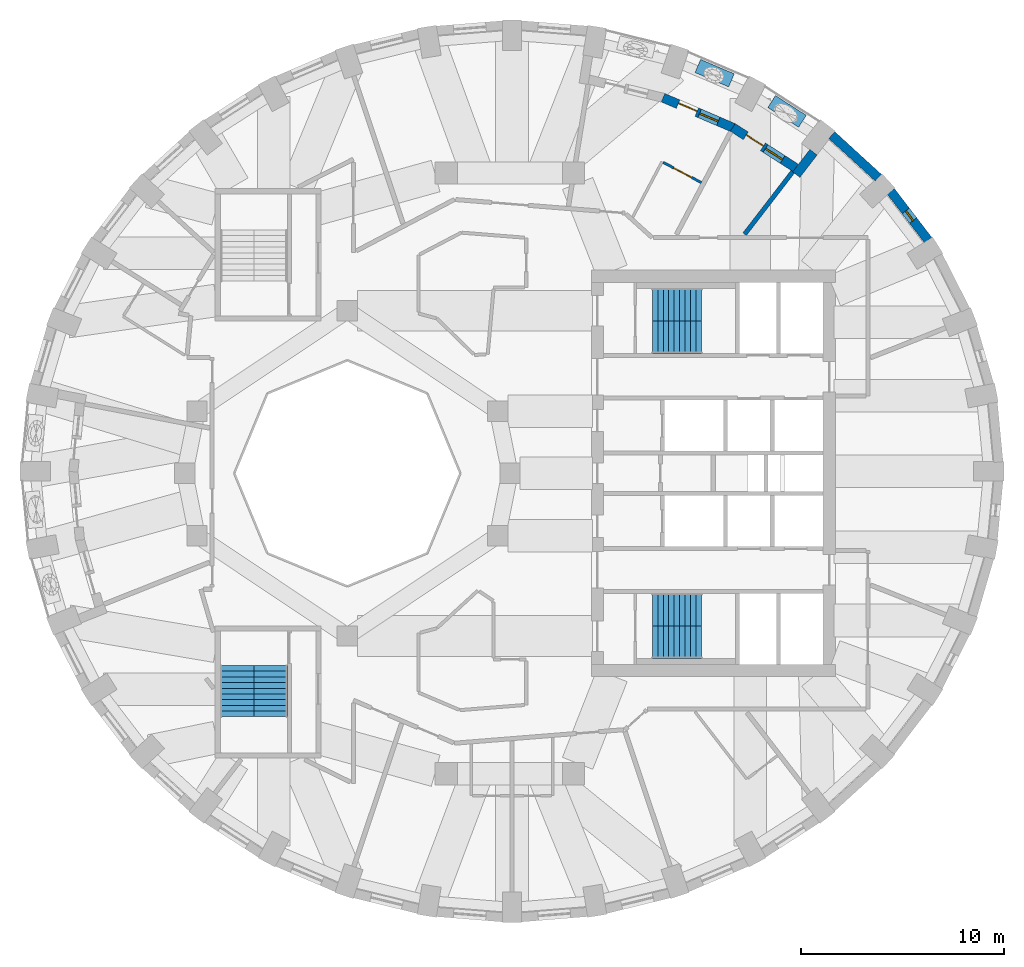
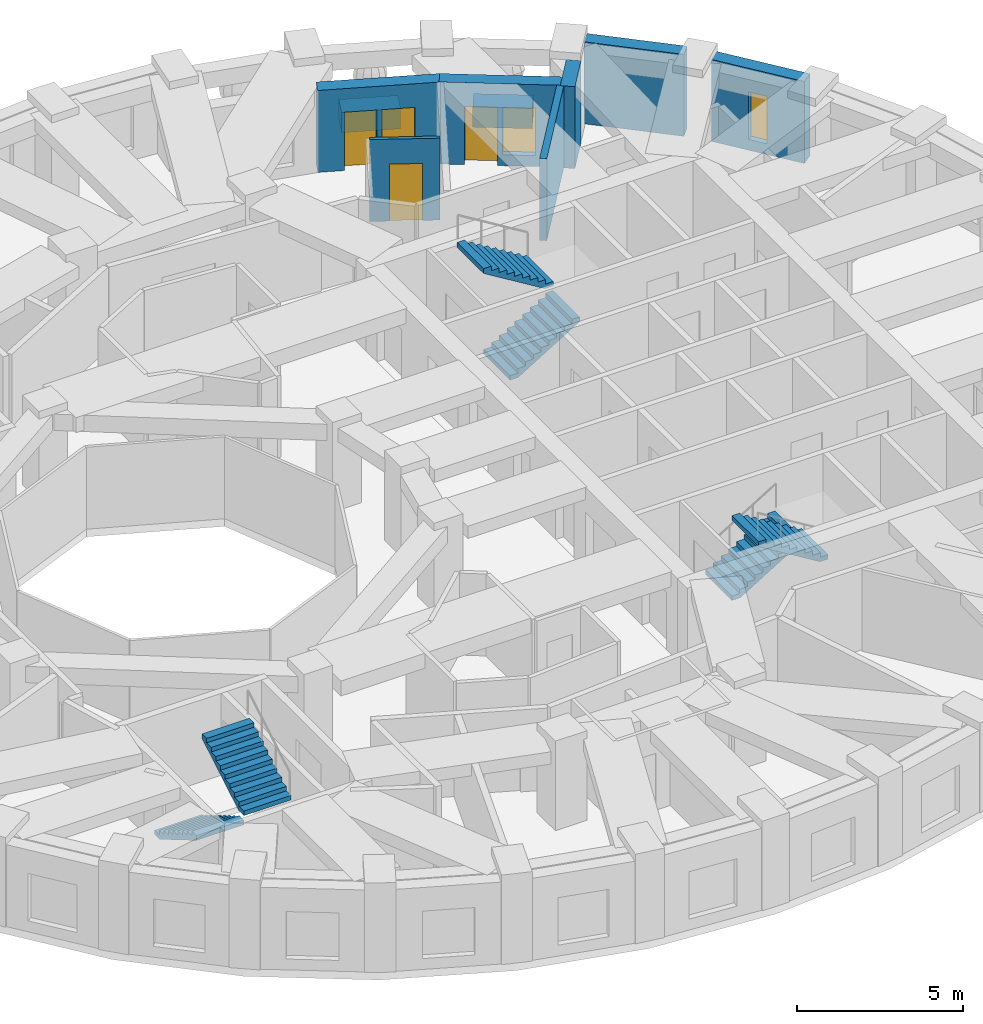
# One storey, part 8 of 12: 9 walls, 6 stair flights, 3 doors, 3 windows, 6 openings, 3 elements without a shape of their own.
"""IFC4 building model written with IfcOpenShell, lengths in metres."""

import ifcopenshell
import ifcopenshell.guid

model = None  # the IFC model being written
_history = None  # IfcOwnerHistory: only IFC2X3 demands one
_inside = {}  # id of a spatial element -> (the spatial element, [elements in it])
_under = {}  # id of a project, library or spatial element -> (it, [spatial elements below it])
_declared = {}  # id of a project -> (the project, [libraries it declares])
_typed = {}  # id of a type object -> (the type object, [elements of that type])
_made_of = {}  # id of a material, layer set ... -> (it, [elements and type objects made of it])


def new_model(schema):
    """Start an empty IFC model of exactly this schema.

    Asked for "IFC4X3", IfcOpenShell would pick the latest addendum, in which some entities
    have other attributes; the version numbers below select the first issue.
    IFC2X3 requires an IfcOwnerHistory on every rooted entity: one is made here for all.
    """
    global model, _history
    if schema == "IFC4X3":
        model = ifcopenshell.file(schema_version=(4, 3, 0, 0))
    else:
        model = ifcopenshell.file(schema=schema)
    _inside.clear()
    _under.clear()
    _declared.clear()
    _typed.clear()
    _made_of.clear()
    _history = None
    if model.schema == "IFC2X3":
        org = make("IfcOrganization", Name="unknown")
        user = make(
            "IfcPersonAndOrganization",
            ThePerson=make("IfcPerson", FamilyName="unknown"),
            TheOrganization=org,
        )
        app = make(
            "IfcApplication",
            ApplicationDeveloper=org,
            Version="unknown",
            ApplicationFullName="unknown",
            ApplicationIdentifier="unknown",
        )
        _history = make(
            "IfcOwnerHistory",
            OwningUser=user,
            OwningApplication=app,
            ChangeAction="ADDED",
            CreationDate=0,
        )
    return model


def make(cls, **values):
    """One entity of the class cls with the attributes given. An attribute that is None is left unset."""
    return model.create_entity(
        cls, **{name: value for name, value in values.items() if value is not None}
    )


def rooted(cls, **values):
    """An entity with a GlobalId (a new one), such as an element, a storey or a relation."""
    return make(cls, GlobalId=ifcopenshell.guid.new(), OwnerHistory=_history, **values)


def si_unit(unit_type, name, prefix=None):
    """IfcSIUnit, for example si_unit("LENGTHUNIT", "METRE", prefix="MILLI")."""
    return make("IfcSIUnit", UnitType=unit_type, Prefix=prefix, Name=name)


def assignment(units):
    """IfcUnitAssignment: the units of a project."""
    return None if units is None else make("IfcUnitAssignment", Units=units)


def point(xyz):
    """IfcCartesianPoint."""
    return None if xyz is None else make("IfcCartesianPoint", Coordinates=xyz)


def direction(xyz):
    """IfcDirection."""
    return None if xyz is None else make("IfcDirection", DirectionRatios=xyz)


def frame(location, z_axis=None, x_axis=None):
    """IfcAxis2Placement3D, a coordinate frame: its origin and axes. An axis left out is left unset."""
    return make(
        "IfcAxis2Placement3D",
        Location=point(location),
        Axis=direction(z_axis),
        RefDirection=direction(x_axis),
    )


def frame_2d(location, x_axis=None):
    """IfcAxis2Placement2D, a coordinate frame in the plane: its origin and x axis."""
    return make(
        "IfcAxis2Placement2D", Location=point(location), RefDirection=direction(x_axis)
    )


def origin():
    """The frame at (0, 0, 0) with its axes left unset."""
    return frame((0.0, 0.0, 0.0))


def place(relative_to, where):
    """IfcLocalPlacement: puts the frame where relative to a parent placement (None: the world)."""
    return make(
        "IfcLocalPlacement", PlacementRelTo=relative_to, RelativePlacement=where
    )


def context(
    kind, dimensions, precision=None, world=None, true_north=None, identifier=None
):
    """IfcGeometricRepresentationContext, for example the 3D "Model" context."""
    return make(
        "IfcGeometricRepresentationContext",
        ContextIdentifier=identifier,
        ContextType=kind,
        CoordinateSpaceDimension=dimensions,
        Precision=precision,
        WorldCoordinateSystem=world,
        TrueNorth=true_north,
    )


def subcontext(parent, identifier, kind, view, scale=None):
    """IfcGeometricRepresentationSubContext, for example "Body" below "Model"."""
    return make(
        "IfcGeometricRepresentationSubContext",
        ContextIdentifier=identifier,
        ContextType=kind,
        ParentContext=parent,
        TargetScale=scale,
        TargetView=view,
    )


def project(units=None, contexts=None):
    """IfcProject with its units and contexts."""
    return rooted(
        "IfcProject",
        Name="project",
        RepresentationContexts=contexts,
        UnitsInContext=assignment(units),
    )


def spatial(cls, under=None, at=None, **own):
    """A site, building, storey or space (cls), placed at a placement, below another one or the project."""
    s = rooted(cls, ObjectPlacement=at, **own)
    if under is not None:
        _under.setdefault(under.id(), (under, []))[1].append(s)
    return s


def polyline(points):
    """IfcPolyline through the points."""
    return make("IfcPolyline", Points=[point(p) for p in points])


def profile(cls, at=None, kind="AREA", **sizes):
    """A parametric profile (cls). Its sizes go by their IFC names, for example OverallWidth=200.0."""
    return make(cls, ProfileType=kind, Position=at, **sizes)


def rectangle(**sizes):
    """IfcRectangleProfileDef."""
    return profile("IfcRectangleProfileDef", **sizes)


def outline(outer, holes=None, kind="AREA"):
    """IfcArbitraryClosedProfileDef: a profile drawn as a closed curve; with holes, ...WithVoids."""
    if holes is None:
        return make("IfcArbitraryClosedProfileDef", ProfileType=kind, OuterCurve=outer)
    return make(
        "IfcArbitraryProfileDefWithVoids",
        ProfileType=kind,
        OuterCurve=outer,
        InnerCurves=holes,
    )


def extrude(swept, where, along, depth):
    """IfcExtrudedAreaSolid: the profile swept, set in the frame where, extruded along a direction by depth."""
    return make(
        "IfcExtrudedAreaSolid",
        SweptArea=swept,
        Position=where,
        ExtrudedDirection=direction(along),
        Depth=depth,
    )


def shape(context_of_items, identifier, shape_type, items):
    """IfcShapeRepresentation: the items that make up one representation, for example the "Body"."""
    return make(
        "IfcShapeRepresentation",
        ContextOfItems=context_of_items,
        RepresentationIdentifier=identifier,
        RepresentationType=shape_type,
        Items=items,
    )


def material(Name=None, Category=None):
    """IfcMaterial."""
    return make("IfcMaterial", Name=Name, Category=Category)


def layer(
    of_material, thickness, ventilated=None, Name=None, Category=None, Priority=None
):
    """IfcMaterialLayer: one layer of a wall or slab, of a material (None: an air gap)."""
    return make(
        "IfcMaterialLayer",
        Material=of_material,
        LayerThickness=thickness,
        IsVentilated=ventilated,
        Name=Name,
        Category=Category,
        Priority=Priority,
    )


def layer_set(layers, Name=None):
    """IfcMaterialLayerSet."""
    return make("IfcMaterialLayerSet", MaterialLayers=layers, LayerSetName=Name)


def constituent(of_material, Name=None, Category=None, fraction=None):
    """IfcMaterialConstituent: one of the materials an element consists of."""
    return make(
        "IfcMaterialConstituent",
        Name=Name,
        Material=of_material,
        Fraction=fraction,
        Category=Category,
    )


def constituent_set(constituents=None, Name=None):
    """IfcMaterialConstituentSet."""
    return make(
        "IfcMaterialConstituentSet", Name=Name, MaterialConstituents=constituents
    )


def made_of(thing, what):
    """Note that an element or type object is made of a material, layer set ...; save() writes the relation."""
    if what is not None:
        _made_of.setdefault(what.id(), (what, []))[1].append(thing)
    return thing


def type_object(cls, material=None, **own):
    """A type object (cls), such as IfcWallType, which elements share."""
    return made_of(rooted(cls, **own), material)


def element(
    cls,
    number,
    at=None,
    inside=None,
    cuts=None,
    type_object=None,
    material=None,
    context=None,
    identifier="Body",
    shape_type=None,
    held_by="IfcProductDefinitionShape",
    body=None,
    shapes=None,
    **own,
):
    """One element of the class cls, such as IfcWall. Its Tag is "e" and its number.

    at: its placement. inside: the storey or other place that contains it. cuts: it is an
    opening in that element (IfcRelVoidsElement). A single representation is given by context,
    identifier, shape_type and body (its items); several are given by shapes. held_by: the class
    of the entity that holds the representations. save() writes the other relations.
    """
    e = rooted(cls, Tag="e%d" % number, ObjectPlacement=at, **own)
    if body is not None:
        shapes = [shape(context, identifier, shape_type, body)]
    if shapes is not None:
        e.Representation = make(held_by, Representations=shapes)
    if inside is not None:
        _inside.setdefault(inside.id(), (inside, []))[1].append(e)
    if cuts is not None:
        rooted(
            "IfcRelVoidsElement", RelatingBuildingElement=cuts, RelatedOpeningElement=e
        )
    if type_object is not None:
        _typed.setdefault(type_object.id(), (type_object, []))[1].append(e)
    return made_of(e, material)


def fill(opening, filler):
    """IfcRelFillsElement: the door or window that sits in an opening."""
    return rooted(
        "IfcRelFillsElement",
        RelatingOpeningElement=opening,
        RelatedBuildingElement=filler,
    )


def aggregate(whole, parts):
    """IfcRelAggregates: a whole, such as a stair, and the parts it consists of."""
    return rooted("IfcRelAggregates", RelatingObject=whole, RelatedObjects=parts)


def save(model, path):
    """Write the relations noted so far, then the file.

    IfcRelAggregates (storeys below a building ...), IfcRelContainedInSpatialStructure (elements
    in a storey), IfcRelDefinesByType, IfcRelAssociatesMaterial and IfcRelDeclares: one each for
    every whole, place, type object, material and project.
    """
    for whole, parts in _under.values():
        aggregate(whole, parts)
    for where, things in _inside.values():
        rooted(
            "IfcRelContainedInSpatialStructure",
            RelatedElements=things,
            RelatingStructure=where,
        )
    for kind, things in _typed.values():
        rooted("IfcRelDefinesByType", RelatedObjects=things, RelatingType=kind)
    for what, things in _made_of.values():
        rooted("IfcRelAssociatesMaterial", RelatedObjects=things, RelatingMaterial=what)
    for by, libraries in _declared.values():
        rooted("IfcRelDeclares", RelatingContext=by, RelatedDefinitions=libraries)
    model.write(path)


model = new_model("IFC4")

# Units and contexts
model_context = context("Model", 3, precision=1e-05, world=origin(), true_north=direction((0.0, 1.0)))
body_context = subcontext(model_context, "Body", "Model", "MODEL_VIEW")
ifc_project = project(units=[si_unit("LENGTHUNIT", "METRE"), si_unit("AREAUNIT", "SQUARE_METRE"), si_unit("VOLUMEUNIT", "CUBIC_METRE"), si_unit("PLANEANGLEUNIT", "RADIAN"), si_unit("MASSUNIT", "GRAM", prefix="KILO")], contexts=[model_context])

# Site, building, storey
site_placement = place(None, origin())
site = spatial("IfcSite", under=ifc_project, at=site_placement, CompositionType="ELEMENT")
building_placement = place(site_placement, origin())
building = spatial("IfcBuilding", under=site, at=building_placement, Name="Taillehof Tower", CompositionType="ELEMENT")
storey_placement = place(building_placement, frame((0.0, 0.0, 151.699951171875)))
storey = spatial("IfcBuildingStorey", under=building, at=storey_placement, Name="L42", CompositionType="ELEMENT", Elevation=151.699951171875)

# Wall, opening, window
ifc_material_1 = material(Name="Brick masonry", Category="masonry")
ifc_layer_1 = layer(ifc_material_1, 0.449951171875)
ifc_layer_set_1 = layer_set([ifc_layer_1], Name="Brick infill wall 450")
wall_type_1 = type_object("IfcWallType", Name="Brick infill wall 450", PredefinedType="SOLIDWALL", material=ifc_layer_set_1)
wall_1_placement = place(storey_placement, frame((20.573974609375, 11.467041015625, 0.0), z_axis=(0.0, 0.0, 1.0), x_axis=(-0.607817056371, 0.794077090706, 0.0)))
wall_1 = element("IfcWall", 1, at=wall_1_placement, inside=storey, type_object=wall_type_1, Name="Brick wall L42 bay 4", PredefinedType="SOLIDWALL", context=body_context, shape_type="SweptSolid", body=[
    extrude(rectangle(XDim=3.037109375, YDim=0.449951171875, at=frame_2d((1.5185546875, 0.0))), origin(), (0.0, 0.0, 1.0), 3.02001953125),
])
opening_1_placement = place(wall_1_placement, frame((1.218505859375, 0.0, 0.39990234375)))
opening_1 = element("IfcOpeningElement", 2, at=opening_1_placement, cuts=wall_1, Name="Opening W6", PredefinedType="OPENING", context=body_context, shape_type="SweptSolid", body=[
    extrude(rectangle(XDim=0.60009765625, YDim=1.75, at=frame_2d((0.300048828125, 0.875))), frame((0.0, 0.23486328125, 0.0), z_axis=(0.0, -1.0, 0.0), x_axis=(1.0, 0.0, 0.0)), (0.0, 0.0, 1.0), 0.469970703125),
])
ifc_material_2 = material(Name="Aluminium window frame with clear double glazing", Category="aluminium")
window_type_1 = type_object("IfcWindowType", Name="Slot window 600x1750", PartitioningType="SINGLE_PANEL", PredefinedType="WINDOW", material=ifc_material_2)
window_1_placement = place(opening_1_placement, origin())
window_1 = element("IfcWindow", 3, at=window_1_placement, inside=storey, type_object=window_type_1, Name="W6", OverallHeight=1.75, OverallWidth=0.60009765625, PartitioningType="SINGLE_PANEL", PredefinedType="WINDOW", context=body_context, shape_type="SweptSolid", body=[
    extrude(rectangle(XDim=0.60009765625, YDim=1.75, at=frame_2d((0.300048828125, 0.875))), frame((0.0, 0.034912109375, 0.0), z_axis=(0.0, -1.0, 0.0), x_axis=(1.0, 0.0, 0.0)), (0.0, 0.0, 1.0), 0.06005859375),
])
fill(opening_1, window_1)

# Walls
wall_2_placement = place(storey_placement, frame((18.11328125, 14.5498046875, 0.0), z_axis=(0.0, 0.0, 1.0), x_axis=(-0.737808755941, 0.675009807082, 0.0)))
element("IfcWall", 4, at=wall_2_placement, inside=storey, type_object=wall_type_1, Name="Brick wall L42 bay 5", PredefinedType="SOLIDWALL", context=body_context, shape_type="SweptSolid", body=[
    extrude(rectangle(XDim=3.094482421875, YDim=0.449951171875, at=frame_2d((1.54736328125, 0.0))), origin(), (0.0, 0.0, 1.0), 3.02001953125),
])
wall_3_placement = place(storey_placement, frame((14.931396484375, 15.796630859375, 0.0), z_axis=(0.0, 0.0, 1.0), x_axis=(-0.609897399413, -0.792480385996, 0.0)))
element("IfcWall", 5, at=wall_3_placement, inside=storey, type_object=wall_type_1, Name="Brick reveal L42 pocket 1", PredefinedType="SOLIDWALL", context=body_context, shape_type="SweptSolid", body=[
    extrude(rectangle(XDim=1.390625, YDim=0.449951171875, at=frame_2d((0.6953125, 0.0))), origin(), (0.0, 0.0, 1.0), 3.02001953125),
])

# Wall, openings, door, window
wall_4_placement = place(storey_placement, frame((14.0537109375, 15.025390625, 0.0), z_axis=(0.0, 0.0, 1.0), x_axis=(-0.841393801846, 0.54042249233, 0.0)))
wall_4 = element("IfcWall", 6, at=wall_4_placement, inside=storey, type_object=wall_type_1, Name="Brick wall L42 pocket bay 6", PredefinedType="SOLIDWALL", context=body_context, shape_type="SweptSolid", body=[
    extrude(rectangle(XDim=3.6826171875, YDim=0.449951171875, at=frame_2d((1.84130859375, 0.0))), origin(), (0.0, 0.0, 1.0), 3.02001953125),
])
opening_2_placement = place(wall_4_placement, frame((0.766357421875, 0.0, 0.39990234375)))
opening_2 = element("IfcOpeningElement", 7, at=opening_2_placement, cuts=wall_4, Name="Opening W5", PredefinedType="OPENING", context=body_context, shape_type="SweptSolid", body=[
    extrude(rectangle(XDim=1.0, YDim=1.75, at=frame_2d((0.5, 0.875))), frame((0.0, 0.23486328125, 0.0), z_axis=(0.0, -1.0, 0.0), x_axis=(1.0, 0.0, 0.0)), (0.0, 0.0, 1.0), 0.469970703125),
])
opening_3_placement = place(wall_4_placement, frame((1.916259765625, 0.0, 0.0)))
opening_3 = element("IfcOpeningElement", 8, at=opening_3_placement, cuts=wall_4, Name="Opening D4294", PredefinedType="OPENING", context=body_context, shape_type="SweptSolid", body=[
    extrude(rectangle(XDim=1.0, YDim=2.14990234375, at=frame_2d((0.5, 1.074951171875))), frame((0.0, 0.23486328125, 0.0), z_axis=(0.0, -1.0, 0.0), x_axis=(1.0, 0.0, 0.0)), (0.0, 0.0, 1.0), 0.469970703125),
])
ifc_material_3 = material(Name="Aluminium door frame with clear double glazing", Category="aluminium")
door_type_1 = type_object("IfcDoorType", Name="Balcony door 1000x2150", OperationType="SINGLE_SWING_RIGHT", PredefinedType="DOOR", material=ifc_material_3)
door_1_placement = place(opening_3_placement, frame((1.0, 0.0, 0.0), z_axis=(0.0, 0.0, 1.0), x_axis=(-1.0, 0.0, 0.0)))
door_1 = element("IfcDoor", 9, at=door_1_placement, inside=storey, type_object=door_type_1, Name="Balcony door L42 bay 6", OperationType="SINGLE_SWING_RIGHT", OverallHeight=2.14990234375, OverallWidth=1.0, PredefinedType="DOOR", context=body_context, shape_type="SweptSolid", body=[
    extrude(rectangle(XDim=1.0, YDim=2.14990234375, at=frame_2d((0.5, 1.074951171875))), frame((0.0, 0.0751953125, 0.0), z_axis=(0.0, -1.0, 0.0), x_axis=(1.0, 0.0, 0.0)), (0.0, 0.0, 1.0), 0.050048828125),
])
fill(opening_3, door_1)
ifc_material_4 = material(Name="Aluminium window frame with clear double glazing", Category="aluminium")
window_type_2 = type_object("IfcWindowType", Name="Fixed window 1000x1750", PartitioningType="SINGLE_PANEL", PredefinedType="WINDOW", material=ifc_material_4)
window_2_placement = place(opening_2_placement, origin())
window_2 = element("IfcWindow", 10, at=window_2_placement, inside=storey, type_object=window_type_2, Name="W5", OverallHeight=1.75, OverallWidth=1.0, PartitioningType="SINGLE_PANEL", PredefinedType="WINDOW", context=body_context, shape_type="SweptSolid", body=[
    extrude(rectangle(XDim=1.0, YDim=1.75, at=frame_2d((0.5, 0.875))), frame((0.0, 0.034912109375, 0.0), z_axis=(0.0, -1.0, 0.0), x_axis=(1.0, 0.0, 0.0)), (0.0, 0.0, 1.0), 0.06005859375),
])
fill(opening_2, window_2)

wall_5_placement = place(storey_placement, frame((10.98828125, 16.998046875, 0.0), z_axis=(0.0, 0.0, 1.0), x_axis=(-0.919443425894, 0.393222311907, 0.0)))
wall_5 = element("IfcWall", 11, at=wall_5_placement, inside=storey, type_object=wall_type_1, Name="Brick wall L42 pocket bay 7", PredefinedType="SOLIDWALL", context=body_context, shape_type="SweptSolid", body=[
    extrude(rectangle(XDim=3.76318359375, YDim=0.449951171875, at=frame_2d((1.881591796875, 0.0))), origin(), (0.0, 0.0, 1.0), 3.02001953125),
])
opening_4_placement = place(wall_5_placement, frame((0.806640625, 0.0, 0.39990234375)))
opening_4 = element("IfcOpeningElement", 12, at=opening_4_placement, cuts=wall_5, Name="Opening W5", PredefinedType="OPENING", context=body_context, shape_type="SweptSolid", body=[
    extrude(rectangle(XDim=1.0, YDim=1.75, at=frame_2d((0.5, 0.875))), frame((0.0, 0.23486328125, 0.0), z_axis=(0.0, -1.0, 0.0), x_axis=(1.0, 0.0, 0.0)), (0.0, 0.0, 1.0), 0.469970703125),
])
opening_5_placement = place(wall_5_placement, frame((1.95654296875, 0.0, 0.0)))
opening_5 = element("IfcOpeningElement", 13, at=opening_5_placement, cuts=wall_5, Name="Opening D4295", PredefinedType="OPENING", context=body_context, shape_type="SweptSolid", body=[
    extrude(rectangle(XDim=1.0, YDim=2.14990234375, at=frame_2d((0.5, 1.074951171875))), frame((0.0, 0.23486328125, 0.0), z_axis=(0.0, -1.0, 0.0), x_axis=(1.0, 0.0, 0.0)), (0.0, 0.0, 1.0), 0.469970703125),
])
door_2_placement = place(opening_5_placement, frame((1.0, 0.0, 0.0), z_axis=(0.0, 0.0, 1.0), x_axis=(-1.0, 0.0, 0.0)))
door_2 = element("IfcDoor", 14, at=door_2_placement, inside=storey, type_object=door_type_1, Name="Balcony door L42 bay 7", OperationType="SINGLE_SWING_LEFT", OverallHeight=2.14990234375, OverallWidth=1.0, PredefinedType="DOOR", context=body_context, shape_type="SweptSolid", body=[
    extrude(rectangle(XDim=1.0, YDim=2.14990234375, at=frame_2d((0.5, 1.074951171875))), frame((0.0, 0.0751953125, 0.0), z_axis=(0.0, -1.0, 0.0), x_axis=(1.0, 0.0, 0.0)), (0.0, 0.0, 1.0), 0.050048828125),
])
fill(opening_5, door_2)
window_3_placement = place(opening_4_placement, origin())
window_3 = element("IfcWindow", 15, at=window_3_placement, inside=storey, type_object=window_type_2, Name="W5", OverallHeight=1.75, OverallWidth=1.0, PartitioningType="SINGLE_PANEL", PredefinedType="WINDOW", context=body_context, shape_type="SweptSolid", body=[
    extrude(rectangle(XDim=1.0, YDim=1.75, at=frame_2d((0.5, 0.875))), frame((0.0, 0.034912109375, 0.0), z_axis=(0.0, -1.0, 0.0), x_axis=(1.0, 0.0, 0.0)), (0.0, 0.0, 1.0), 0.06005859375),
])
fill(opening_4, window_3)

# Wall
ifc_material_5 = material(Name="Gypsum board on double steel studs with mineral wool", Category="steel")
ifc_layer_2 = layer(ifc_material_5, 0.219970703125)
ifc_layer_set_2 = layer_set([ifc_layer_2], Name="Compartment wall guest room 220")
wall_type_2 = type_object("IfcWallType", Name="Compartment wall guest room 220", PredefinedType="PARTITIONING", material=ifc_layer_set_2)
wall_6_placement = place(storey_placement, frame((13.916015625, 14.846435546875, 0.0), z_axis=(0.0, 0.0, 1.0), x_axis=(-0.610023079405, -0.792383646091, 0.0)))
element("IfcWall", 16, at=wall_6_placement, inside=storey, type_object=wall_type_2, Name="Compartment wall", PredefinedType="PARTITIONING", context=body_context, shape_type="SweptSolid", body=[
    extrude(rectangle(XDim=3.890380859375, YDim=0.219970703125, at=frame_2d((1.9453125, 0.0))), origin(), (0.0, 0.0, 1.0), 3.02001953125),
])

# Wall, opening, door
ifc_material_6 = material(Name="Gypsum board on steel studs, moisture resistant", Category="steel")
ifc_layer_3 = layer(ifc_material_6, 0.1201171875)
ifc_layer_set_3 = layer_set([ifc_layer_3], Name="En-suite wall 120")
wall_type_3 = type_object("IfcWallType", Name="En-suite wall 120", PredefinedType="PARTITIONING", material=ifc_layer_set_3)
wall_7_placement = place(storey_placement, frame((7.532470703125, 15.2998046875, 0.0), z_axis=(0.0, 0.0, 1.0), x_axis=(0.883707061275, -0.468040414764, 0.0)))
wall_7 = element("IfcWall", 17, at=wall_7_placement, inside=storey, type_object=wall_type_3, Name="En-suite wall", PredefinedType="PARTITIONING", context=body_context, shape_type="SweptSolid", body=[
    extrude(rectangle(XDim=2.13037109375, YDim=0.1201171875, at=frame_2d((1.065185546875, 0.0))), origin(), (0.0, 0.0, 1.0), 3.02001953125),
])
opening_6_placement = place(wall_7_placement, frame((0.59033203125, 0.0, 0.0)))
opening_6 = element("IfcOpeningElement", 18, at=opening_6_placement, cuts=wall_7, Name="Opening D4242", PredefinedType="OPENING", context=body_context, shape_type="SweptSolid", body=[
    extrude(rectangle(XDim=1.0, YDim=2.10009765625, at=frame_2d((0.5, 1.050048828125))), frame((0.0, 0.070068359375, 0.0), z_axis=(0.0, -1.0, 0.0), x_axis=(1.0, 0.0, 0.0)), (0.0, 0.0, 1.0), 0.14013671875),
])
ifc_material_7 = material(Name="Timber door leaf in steel frame", Category="steel")
door_type_2 = type_object("IfcDoorType", Name="Accessible en-suite door 1000 x 2100", OperationType="SINGLE_SWING_LEFT", PredefinedType="DOOR", material=ifc_material_7)
door_3_placement = place(opening_6_placement, origin())
door_3 = element("IfcDoor", 19, at=door_3_placement, inside=storey, type_object=door_type_2, Name="D4242", OperationType="SINGLE_SWING_RIGHT", OverallHeight=2.10009765625, OverallWidth=1.0, PredefinedType="DOOR", context=body_context, shape_type="SweptSolid", body=[
    extrude(rectangle(XDim=1.0, YDim=2.10009765625, at=frame_2d((0.5, 1.050048828125))), frame((0.0, 0.02490234375, 0.0), z_axis=(0.0, -1.0, 0.0), x_axis=(1.0, 0.0, 0.0)), (0.0, 0.0, 1.0), 0.050048828125),
])
fill(opening_6, door_3)

# Walls
ifc_material_8 = material(Name="Concrete C30/37 precast", Category="concrete")
ifc_constituent_1 = constituent(ifc_material_8, Name="Structure", Category="concrete")
ifc_material_9 = material(Name="Insulated lining")
ifc_constituent_2 = constituent(ifc_material_9, Name="Lining")
ifc_constituent_set = constituent_set(constituents=[ifc_constituent_1, ifc_constituent_2], Name="Planter trough 700x750")
wall_type_4 = type_object("IfcWallType", Name="Planter trough 700x750", PredefinedType="USERDEFINED", material=ifc_constituent_set)
wall_8_placement = place(storey_placement, frame((14.385986328125, 17.317626953125, 0.0), z_axis=(0.0, 0.0, 1.0), x_axis=(-0.842032375698, 0.539426990682, 0.0)))
element("IfcWall", 20, at=wall_8_placement, inside=storey, type_object=wall_type_4, Name="Planter L42 bay 6", ObjectType="PLANTER", PredefinedType="USERDEFINED", context=body_context, shape_type="SweptSolid", body=[
    extrude(rectangle(XDim=1.800048828125, YDim=0.699951171875, at=frame_2d((0.89990234375, 0.0))), origin(), (0.0, 0.0, 1.0), 0.75),
])
wall_9_placement = place(storey_placement, frame((10.89453125, 19.331298828125, 0.0), z_axis=(0.0, 0.0, 1.0), x_axis=(-0.91978926552, 0.392412674406, 0.0)))
element("IfcWall", 21, at=wall_9_placement, inside=storey, type_object=wall_type_4, Name="Planter L42 bay 7", ObjectType="PLANTER", PredefinedType="USERDEFINED", context=body_context, shape_type="SweptSolid", body=[
    extrude(rectangle(XDim=1.7998046875, YDim=0.699951171875, at=frame_2d((0.89990234375, 0.0))), origin(), (0.0, 0.0, 1.0), 0.75),
])

# Stair, stair flights
ifc_material_10 = material(Name="Concrete C40/50", Category="concrete")
stair_type = type_object("IfcStairType", Name="Exit stair half-turn", PredefinedType="HALF_TURN_STAIR", material=ifc_material_10)
stair_1_placement = place(storey_placement, origin())
stair_1 = element("IfcStair", 22, at=stair_1_placement, inside=storey, type_object=stair_type, Name="Exit stair S1", PredefinedType="HALF_TURN_STAIR")
ifc_material_11 = material(Name="Concrete C40/50", Category="concrete")
stair_flight_type_1 = type_object("IfcStairFlightType", Name="Stair flight 1600 riser 165.0 going 270", PredefinedType="STRAIGHT", material=ifc_material_11)
stair_flight_1_placement = place(storey_placement, frame((7.0, 6.699951171875, 0.0), z_axis=(0.0, 0.0, 1.0), x_axis=(1.0, 0.0, 0.0)))
stair_flight_1 = element("IfcStairFlight", 23, at=stair_flight_1_placement, type_object=stair_flight_type_1, Name="S1 flight 1", NumberOfRisers=10, NumberOfTreads=9, PredefinedType="STRAIGHT", RiserHeight=0.165, TreadLength=0.27, context=body_context, shape_type="SweptSolid", body=[
    extrude(outline(polyline([(0.0, 0.0), (0.0, 0.00537109375), (0.0, 0.0107421875), (0.0, 0.015869140625), (0.0, 0.021240234375), (0.0, 0.026611328125), (0.0, 0.031982421875), (0.0, 0.037353515625), (0.0, 0.04248046875), (0.0, 0.0478515625), (0.0, 0.05322265625), (0.0, 0.05859375), (0.0, 0.06396484375), (0.0, 0.069091796875), (0.0, 0.074462890625), (0.0, 0.079833984375), (0.0, 0.085205078125), (0.0, 0.090576171875), (0.0, 0.095703125), (0.0, 0.10107421875), (0.0, 0.1064453125), (0.0, 0.11181640625), (0.0, 0.1171875), (0.0, 0.122314453125), (0.0, 0.127685546875), (0.0, 0.133056640625), (0.0, 0.138427734375), (0.0, 0.143798828125), (0.0, 0.14892578125), (0.0, 0.154296875), (0.0, 0.15966796875), (0.0, 0.1650390625), (0.27001953125, 0.1650390625), (0.27001953125, 0.330078125), (0.5400390625, 0.330078125), (0.5400390625, 0.4951171875), (0.81005859375, 0.4951171875), (0.81005859375, 0.659912109375), (1.080078125, 0.659912109375), (1.080078125, 0.824951171875), (1.35009765625, 0.824951171875), (1.35009765625, 0.989990234375), (1.6201171875, 0.989990234375), (1.6201171875, 1.155029296875), (1.889892578125, 1.155029296875), (1.889892578125, 1.320068359375), (2.159912109375, 1.320068359375), (2.159912109375, 1.485107421875), (2.429931640625, 1.485107421875), (2.429931640625, 1.479248046875), (2.429931640625, 1.4736328125), (2.429931640625, 1.468017578125), (2.429931640625, 1.46240234375), (2.429931640625, 1.45654296875), (2.429931640625, 1.450927734375), (2.429931640625, 1.4453125), (2.429931640625, 1.439697265625), (2.429931640625, 1.43408203125), (2.429931640625, 1.42822265625), (2.429931640625, 1.422607421875), (2.429931640625, 1.4169921875), (2.429931640625, 1.411376953125), (2.429931640625, 1.40576171875), (2.429931640625, 1.39990234375), (2.429931640625, 1.394287109375), (2.429931640625, 1.388671875), (2.429931640625, 1.383056640625), (2.429931640625, 1.37744140625), (2.429931640625, 1.37158203125), (2.429931640625, 1.365966796875), (2.429931640625, 1.3603515625), (2.429931640625, 1.354736328125), (2.429931640625, 1.348876953125), (2.429931640625, 1.34326171875), (2.429931640625, 1.337646484375), (2.429931640625, 1.33203125), (2.429931640625, 1.326416015625), (2.429931640625, 1.320556640625), (2.429931640625, 1.31494140625), (2.429931640625, 1.309326171875), (0.287353515625, 0.0), (0.0, 0.0)])), frame((0.0, 0.800048828125, 0.0), z_axis=(0.0, -1.0, 0.0), x_axis=(1.0, 0.0, 0.0)), (0.0, 0.0, 1.0), 1.6),
])
stair_flight_2_placement = place(storey_placement, frame((9.429931640625, 8.300048828125, 1.650146484375), z_axis=(0.0, 0.0, 1.0), x_axis=(-1.0, 0.0, 0.0)))
stair_flight_2 = element("IfcStairFlight", 24, at=stair_flight_2_placement, type_object=stair_flight_type_1, Name="S1 flight 2", NumberOfRisers=10, NumberOfTreads=9, PredefinedType="STRAIGHT", RiserHeight=0.165, TreadLength=0.27, context=body_context, shape_type="SweptSolid", body=[
    extrude(outline(polyline([(0.0, 0.0), (0.0, 0.00537109375), (0.0, 0.0107421875), (0.0, 0.015869140625), (0.0, 0.021240234375), (0.0, 0.026611328125), (0.0, 0.031982421875), (0.0, 0.037353515625), (0.0, 0.04248046875), (0.0, 0.0478515625), (0.0, 0.05322265625), (0.0, 0.05859375), (0.0, 0.06396484375), (0.0, 0.069091796875), (0.0, 0.074462890625), (0.0, 0.079833984375), (0.0, 0.085205078125), (0.0, 0.090576171875), (0.0, 0.095703125), (0.0, 0.10107421875), (0.0, 0.1064453125), (0.0, 0.11181640625), (0.0, 0.1171875), (0.0, 0.122314453125), (0.0, 0.127685546875), (0.0, 0.133056640625), (0.0, 0.138427734375), (0.0, 0.143798828125), (0.0, 0.14892578125), (0.0, 0.154296875), (0.0, 0.15966796875), (0.0, 0.1650390625), (0.27001953125, 0.1650390625), (0.27001953125, 0.330078125), (0.5400390625, 0.330078125), (0.5400390625, 0.4951171875), (0.81005859375, 0.4951171875), (0.81005859375, 0.659912109375), (1.080078125, 0.659912109375), (1.080078125, 0.824951171875), (1.35009765625, 0.824951171875), (1.35009765625, 0.989990234375), (1.6201171875, 0.989990234375), (1.6201171875, 1.155029296875), (1.889892578125, 1.155029296875), (1.889892578125, 1.320068359375), (2.159912109375, 1.320068359375), (2.159912109375, 1.485107421875), (2.429931640625, 1.485107421875), (2.429931640625, 1.479248046875), (2.429931640625, 1.4736328125), (2.429931640625, 1.468017578125), (2.429931640625, 1.46240234375), (2.429931640625, 1.45654296875), (2.429931640625, 1.450927734375), (2.429931640625, 1.4453125), (2.429931640625, 1.439697265625), (2.429931640625, 1.43408203125), (2.429931640625, 1.42822265625), (2.429931640625, 1.422607421875), (2.429931640625, 1.4169921875), (2.429931640625, 1.411376953125), (2.429931640625, 1.40576171875), (2.429931640625, 1.39990234375), (2.429931640625, 1.394287109375), (2.429931640625, 1.388671875), (2.429931640625, 1.383056640625), (2.429931640625, 1.37744140625), (2.429931640625, 1.37158203125), (2.429931640625, 1.365966796875), (2.429931640625, 1.3603515625), (2.429931640625, 1.354736328125), (2.429931640625, 1.348876953125), (2.429931640625, 1.34326171875), (2.429931640625, 1.337646484375), (2.429931640625, 1.33203125), (2.429931640625, 1.326416015625), (2.429931640625, 1.320556640625), (2.429931640625, 1.31494140625), (2.429931640625, 1.309326171875), (0.287353515625, 0.0), (0.0, 0.0)])), frame((0.0, 0.800048828125, 0.0), z_axis=(0.0, -1.0, 0.0), x_axis=(1.0, 0.0, 0.0)), (0.0, 0.0, 1.0), 1.6),
])
aggregate(stair_1, [stair_flight_1, stair_flight_2])

stair_2_placement = place(storey_placement, origin())
stair_2 = element("IfcStair", 25, at=stair_2_placement, inside=storey, type_object=stair_type, Name="Exit stair S2", PredefinedType="HALF_TURN_STAIR")
stair_flight_3_placement = place(storey_placement, frame((7.0, -6.699951171875, 0.0), z_axis=(0.0, 0.0, 1.0), x_axis=(1.0, 0.0, 0.0)))
stair_flight_3 = element("IfcStairFlight", 26, at=stair_flight_3_placement, type_object=stair_flight_type_1, Name="S2 flight 1", NumberOfRisers=10, NumberOfTreads=9, PredefinedType="STRAIGHT", RiserHeight=0.165, TreadLength=0.27, context=body_context, shape_type="SweptSolid", body=[
    extrude(outline(polyline([(0.0, 0.0), (0.0, 0.00537109375), (0.0, 0.0107421875), (0.0, 0.015869140625), (0.0, 0.021240234375), (0.0, 0.026611328125), (0.0, 0.031982421875), (0.0, 0.037353515625), (0.0, 0.04248046875), (0.0, 0.0478515625), (0.0, 0.05322265625), (0.0, 0.05859375), (0.0, 0.06396484375), (0.0, 0.069091796875), (0.0, 0.074462890625), (0.0, 0.079833984375), (0.0, 0.085205078125), (0.0, 0.090576171875), (0.0, 0.095703125), (0.0, 0.10107421875), (0.0, 0.1064453125), (0.0, 0.11181640625), (0.0, 0.1171875), (0.0, 0.122314453125), (0.0, 0.127685546875), (0.0, 0.133056640625), (0.0, 0.138427734375), (0.0, 0.143798828125), (0.0, 0.14892578125), (0.0, 0.154296875), (0.0, 0.15966796875), (0.0, 0.1650390625), (0.27001953125, 0.1650390625), (0.27001953125, 0.330078125), (0.5400390625, 0.330078125), (0.5400390625, 0.4951171875), (0.81005859375, 0.4951171875), (0.81005859375, 0.659912109375), (1.080078125, 0.659912109375), (1.080078125, 0.824951171875), (1.35009765625, 0.824951171875), (1.35009765625, 0.989990234375), (1.6201171875, 0.989990234375), (1.6201171875, 1.155029296875), (1.889892578125, 1.155029296875), (1.889892578125, 1.320068359375), (2.159912109375, 1.320068359375), (2.159912109375, 1.485107421875), (2.429931640625, 1.485107421875), (2.429931640625, 1.479248046875), (2.429931640625, 1.4736328125), (2.429931640625, 1.468017578125), (2.429931640625, 1.46240234375), (2.429931640625, 1.45654296875), (2.429931640625, 1.450927734375), (2.429931640625, 1.4453125), (2.429931640625, 1.439697265625), (2.429931640625, 1.43408203125), (2.429931640625, 1.42822265625), (2.429931640625, 1.422607421875), (2.429931640625, 1.4169921875), (2.429931640625, 1.411376953125), (2.429931640625, 1.40576171875), (2.429931640625, 1.39990234375), (2.429931640625, 1.394287109375), (2.429931640625, 1.388671875), (2.429931640625, 1.383056640625), (2.429931640625, 1.37744140625), (2.429931640625, 1.37158203125), (2.429931640625, 1.365966796875), (2.429931640625, 1.3603515625), (2.429931640625, 1.354736328125), (2.429931640625, 1.348876953125), (2.429931640625, 1.34326171875), (2.429931640625, 1.337646484375), (2.429931640625, 1.33203125), (2.429931640625, 1.326416015625), (2.429931640625, 1.320556640625), (2.429931640625, 1.31494140625), (2.429931640625, 1.309326171875), (0.287353515625, 0.0), (0.0, 0.0)])), frame((0.0, 0.800048828125, 0.0), z_axis=(0.0, -1.0, 0.0), x_axis=(1.0, 0.0, 0.0)), (0.0, 0.0, 1.0), 1.6),
])
stair_flight_4_placement = place(storey_placement, frame((9.429931640625, -8.300048828125, 1.650146484375), z_axis=(0.0, 0.0, 1.0), x_axis=(-1.0, 0.0, 0.0)))
stair_flight_4 = element("IfcStairFlight", 27, at=stair_flight_4_placement, type_object=stair_flight_type_1, Name="S2 flight 2", NumberOfRisers=10, NumberOfTreads=9, PredefinedType="STRAIGHT", RiserHeight=0.165, TreadLength=0.27, context=body_context, shape_type="SweptSolid", body=[
    extrude(outline(polyline([(0.0, 0.0), (0.0, 0.00537109375), (0.0, 0.0107421875), (0.0, 0.015869140625), (0.0, 0.021240234375), (0.0, 0.026611328125), (0.0, 0.031982421875), (0.0, 0.037353515625), (0.0, 0.04248046875), (0.0, 0.0478515625), (0.0, 0.05322265625), (0.0, 0.05859375), (0.0, 0.06396484375), (0.0, 0.069091796875), (0.0, 0.074462890625), (0.0, 0.079833984375), (0.0, 0.085205078125), (0.0, 0.090576171875), (0.0, 0.095703125), (0.0, 0.10107421875), (0.0, 0.1064453125), (0.0, 0.11181640625), (0.0, 0.1171875), (0.0, 0.122314453125), (0.0, 0.127685546875), (0.0, 0.133056640625), (0.0, 0.138427734375), (0.0, 0.143798828125), (0.0, 0.14892578125), (0.0, 0.154296875), (0.0, 0.15966796875), (0.0, 0.1650390625), (0.27001953125, 0.1650390625), (0.27001953125, 0.330078125), (0.5400390625, 0.330078125), (0.5400390625, 0.4951171875), (0.81005859375, 0.4951171875), (0.81005859375, 0.659912109375), (1.080078125, 0.659912109375), (1.080078125, 0.824951171875), (1.35009765625, 0.824951171875), (1.35009765625, 0.989990234375), (1.6201171875, 0.989990234375), (1.6201171875, 1.155029296875), (1.889892578125, 1.155029296875), (1.889892578125, 1.320068359375), (2.159912109375, 1.320068359375), (2.159912109375, 1.485107421875), (2.429931640625, 1.485107421875), (2.429931640625, 1.479248046875), (2.429931640625, 1.4736328125), (2.429931640625, 1.468017578125), (2.429931640625, 1.46240234375), (2.429931640625, 1.45654296875), (2.429931640625, 1.450927734375), (2.429931640625, 1.4453125), (2.429931640625, 1.439697265625), (2.429931640625, 1.43408203125), (2.429931640625, 1.42822265625), (2.429931640625, 1.422607421875), (2.429931640625, 1.4169921875), (2.429931640625, 1.411376953125), (2.429931640625, 1.40576171875), (2.429931640625, 1.39990234375), (2.429931640625, 1.394287109375), (2.429931640625, 1.388671875), (2.429931640625, 1.383056640625), (2.429931640625, 1.37744140625), (2.429931640625, 1.37158203125), (2.429931640625, 1.365966796875), (2.429931640625, 1.3603515625), (2.429931640625, 1.354736328125), (2.429931640625, 1.348876953125), (2.429931640625, 1.34326171875), (2.429931640625, 1.337646484375), (2.429931640625, 1.33203125), (2.429931640625, 1.326416015625), (2.429931640625, 1.320556640625), (2.429931640625, 1.31494140625), (2.429931640625, 1.309326171875), (0.287353515625, 0.0), (0.0, 0.0)])), frame((0.0, 0.800048828125, 0.0), z_axis=(0.0, -1.0, 0.0), x_axis=(1.0, 0.0, 0.0)), (0.0, 0.0, 1.0), 1.6),
])
aggregate(stair_2, [stair_flight_3, stair_flight_4])

stair_3_placement = place(storey_placement, origin())
stair_3 = element("IfcStair", 28, at=stair_3_placement, inside=storey, type_object=stair_type, Name="Exit stair S4", PredefinedType="HALF_TURN_STAIR")
ifc_material_12 = material(Name="Concrete C40/50", Category="concrete")
stair_flight_type_2 = type_object("IfcStairFlightType", Name="Stair flight 1650 riser 165.0 going 280", PredefinedType="STRAIGHT", material=ifc_material_12)
stair_flight_5_placement = place(storey_placement, frame((-13.425048828125, -9.449951171875, 0.0), z_axis=(0.0, 0.0, 1.0), x_axis=(0.0, -1.0, 0.0)))
stair_flight_5 = element("IfcStairFlight", 29, at=stair_flight_5_placement, type_object=stair_flight_type_2, Name="S4 flight 1", NumberOfRisers=10, NumberOfTreads=9, PredefinedType="STRAIGHT", RiserHeight=0.165, TreadLength=0.28, context=body_context, shape_type="SweptSolid", body=[
    extrude(outline(polyline([(0.0, 0.0), (0.0, 0.00537109375), (0.0, 0.0107421875), (0.0, 0.015869140625), (0.0, 0.021240234375), (0.0, 0.026611328125), (0.0, 0.031982421875), (0.0, 0.037353515625), (0.0, 0.04248046875), (0.0, 0.0478515625), (0.0, 0.05322265625), (0.0, 0.05859375), (0.0, 0.06396484375), (0.0, 0.069091796875), (0.0, 0.074462890625), (0.0, 0.079833984375), (0.0, 0.085205078125), (0.0, 0.090576171875), (0.0, 0.095703125), (0.0, 0.10107421875), (0.0, 0.1064453125), (0.0, 0.11181640625), (0.0, 0.1171875), (0.0, 0.122314453125), (0.0, 0.127685546875), (0.0, 0.133056640625), (0.0, 0.138427734375), (0.0, 0.143798828125), (0.0, 0.14892578125), (0.0, 0.154296875), (0.0, 0.15966796875), (0.0, 0.1650390625), (0.280029296875, 0.1650390625), (0.280029296875, 0.330078125), (0.56005859375, 0.330078125), (0.56005859375, 0.4951171875), (0.840087890625, 0.4951171875), (0.840087890625, 0.659912109375), (1.1201171875, 0.659912109375), (1.1201171875, 0.824951171875), (1.39990234375, 0.824951171875), (1.39990234375, 0.989990234375), (1.679931640625, 0.989990234375), (1.679931640625, 1.155029296875), (1.9599609375, 1.155029296875), (1.9599609375, 1.320068359375), (2.239990234375, 1.320068359375), (2.239990234375, 1.485107421875), (2.52001953125, 1.485107421875), (2.52001953125, 1.4794921875), (2.52001953125, 1.473876953125), (2.52001953125, 1.46826171875), (2.52001953125, 1.462646484375), (2.52001953125, 1.45703125), (2.52001953125, 1.451416015625), (2.52001953125, 1.44580078125), (2.52001953125, 1.440185546875), (2.52001953125, 1.4345703125), (2.52001953125, 1.428955078125), (2.52001953125, 1.42333984375), (2.52001953125, 1.417724609375), (2.52001953125, 1.412109375), (2.52001953125, 1.406494140625), (2.52001953125, 1.40087890625), (2.52001953125, 1.395263671875), (2.52001953125, 1.3896484375), (2.52001953125, 1.384033203125), (2.52001953125, 1.37841796875), (2.52001953125, 1.372802734375), (2.52001953125, 1.3671875), (2.52001953125, 1.361572265625), (2.52001953125, 1.35595703125), (2.52001953125, 1.350341796875), (2.52001953125, 1.3447265625), (2.52001953125, 1.339111328125), (2.52001953125, 1.33349609375), (2.52001953125, 1.327880859375), (2.52001953125, 1.322265625), (2.52001953125, 1.316650390625), (2.52001953125, 1.31103515625), (0.295166015625, 0.0), (0.0, 0.0)])), frame((0.0, 0.824951171875, 0.0), z_axis=(0.0, -1.0, 0.0), x_axis=(1.0, 0.0, 0.0)), (0.0, 0.0, 1.0), 1.65),
])
stair_flight_6_placement = place(storey_placement, frame((-11.77490234375, -11.969970703125, 1.650146484375), z_axis=(0.0, 0.0, 1.0), x_axis=(0.0, 1.0, 0.0)))
stair_flight_6 = element("IfcStairFlight", 30, at=stair_flight_6_placement, type_object=stair_flight_type_2, Name="S4 flight 2", NumberOfRisers=10, NumberOfTreads=9, PredefinedType="STRAIGHT", RiserHeight=0.165, TreadLength=0.28, context=body_context, shape_type="SweptSolid", body=[
    extrude(outline(polyline([(0.0, 0.0), (0.0, 0.00537109375), (0.0, 0.0107421875), (0.0, 0.015869140625), (0.0, 0.021240234375), (0.0, 0.026611328125), (0.0, 0.031982421875), (0.0, 0.037353515625), (0.0, 0.04248046875), (0.0, 0.0478515625), (0.0, 0.05322265625), (0.0, 0.05859375), (0.0, 0.06396484375), (0.0, 0.069091796875), (0.0, 0.074462890625), (0.0, 0.079833984375), (0.0, 0.085205078125), (0.0, 0.090576171875), (0.0, 0.095703125), (0.0, 0.10107421875), (0.0, 0.1064453125), (0.0, 0.11181640625), (0.0, 0.1171875), (0.0, 0.122314453125), (0.0, 0.127685546875), (0.0, 0.133056640625), (0.0, 0.138427734375), (0.0, 0.143798828125), (0.0, 0.14892578125), (0.0, 0.154296875), (0.0, 0.15966796875), (0.0, 0.1650390625), (0.280029296875, 0.1650390625), (0.280029296875, 0.330078125), (0.56005859375, 0.330078125), (0.56005859375, 0.4951171875), (0.840087890625, 0.4951171875), (0.840087890625, 0.659912109375), (1.1201171875, 0.659912109375), (1.1201171875, 0.824951171875), (1.39990234375, 0.824951171875), (1.39990234375, 0.989990234375), (1.679931640625, 0.989990234375), (1.679931640625, 1.155029296875), (1.9599609375, 1.155029296875), (1.9599609375, 1.320068359375), (2.239990234375, 1.320068359375), (2.239990234375, 1.485107421875), (2.52001953125, 1.485107421875), (2.52001953125, 1.4794921875), (2.52001953125, 1.473876953125), (2.52001953125, 1.46826171875), (2.52001953125, 1.462646484375), (2.52001953125, 1.45703125), (2.52001953125, 1.451416015625), (2.52001953125, 1.44580078125), (2.52001953125, 1.440185546875), (2.52001953125, 1.4345703125), (2.52001953125, 1.428955078125), (2.52001953125, 1.42333984375), (2.52001953125, 1.417724609375), (2.52001953125, 1.412109375), (2.52001953125, 1.406494140625), (2.52001953125, 1.40087890625), (2.52001953125, 1.395263671875), (2.52001953125, 1.3896484375), (2.52001953125, 1.384033203125), (2.52001953125, 1.37841796875), (2.52001953125, 1.372802734375), (2.52001953125, 1.3671875), (2.52001953125, 1.361572265625), (2.52001953125, 1.35595703125), (2.52001953125, 1.350341796875), (2.52001953125, 1.3447265625), (2.52001953125, 1.339111328125), (2.52001953125, 1.33349609375), (2.52001953125, 1.327880859375), (2.52001953125, 1.322265625), (2.52001953125, 1.316650390625), (2.52001953125, 1.31103515625), (0.295166015625, 0.0), (0.0, 0.0)])), frame((0.0, 0.824951171875, 0.0), z_axis=(0.0, -1.0, 0.0), x_axis=(1.0, 0.0, 0.0)), (0.0, 0.0, 1.0), 1.65),
])
aggregate(stair_3, [stair_flight_5, stair_flight_6])

save(model, "model.ifc")
